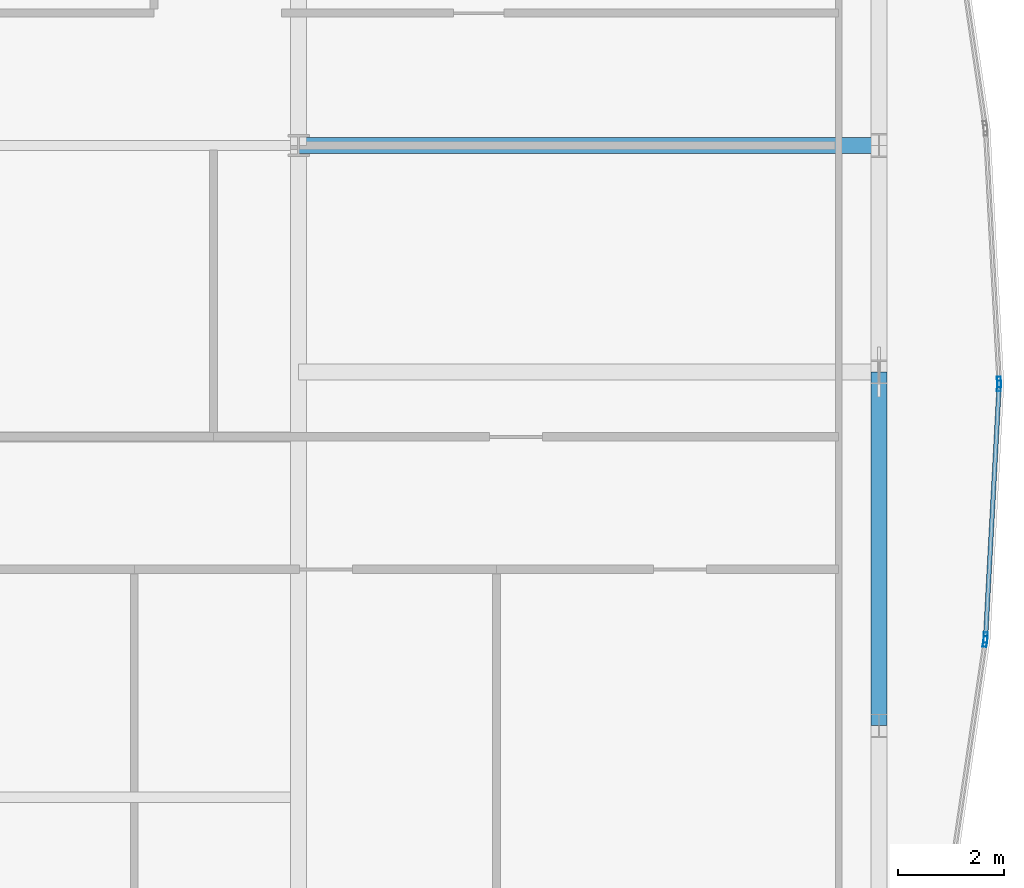
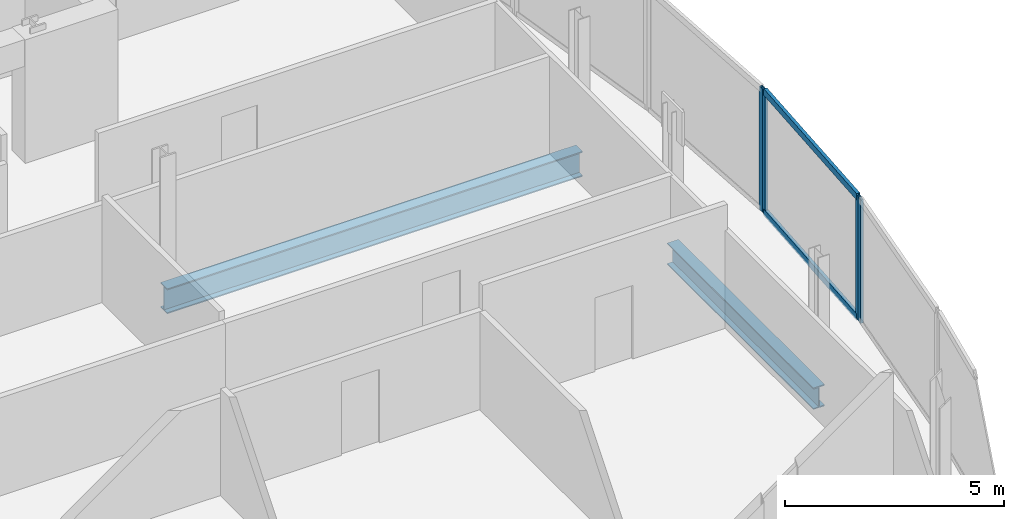
# One storey, part 18 of 30: 6 members, 2 beams, 3 elements without a shape of their own.
"""IFC4 building model written with IfcOpenShell, lengths in metres."""

from ifc_helpers import new_model, si_unit, direction, frame, origin, origin_2d, place, context, subcontext, project, spatial, hollow_rectangle, i_section, extrude, material, material_profile, profile_set, type_object, element, aggregate, save


model = new_model("IFC4")

# Units and contexts
model_context = context("Model", 3, precision=1e-05, world=origin(), true_north=direction((0.0, 1.0)))
body_context = subcontext(model_context, "Body", "Model", "MODEL_VIEW")
ifc_project = project(units=[si_unit("LENGTHUNIT", "METRE"), si_unit("AREAUNIT", "SQUARE_METRE"), si_unit("VOLUMEUNIT", "CUBIC_METRE"), si_unit("PLANEANGLEUNIT", "RADIAN"), si_unit("MASSUNIT", "GRAM", prefix="KILO")], contexts=[model_context])

# Site, building, storey
site_placement = place(None, origin())
site = spatial("IfcSite", under=ifc_project, at=site_placement, CompositionType="ELEMENT")
building_placement = place(site_placement, origin())
building = spatial("IfcBuilding", under=site, at=building_placement, Name="Khoronbel Lancet Exchange", CompositionType="ELEMENT")
storey_placement = place(building_placement, frame((0.0, 0.0, 206.60009765625)))
storey = spatial("IfcBuildingStorey", under=building, at=storey_placement, Name="L52", CompositionType="ELEMENT", Elevation=206.60009765625)

# Beams
ifc_material_1 = material(Name="Steel S355", Category="steel")
ifc_material_profile_1 = material_profile(ifc_material_1, i_section(OverallWidth=0.300048828125, OverallDepth=0.699951171875, WebThickness=0.01708984375, FlangeThickness=0.031982421875, at=origin_2d()), Name="HEB 700")
ifc_profile_set_1 = profile_set([ifc_material_profile_1], Name="Steel S355")
beam_type_1 = type_object("IfcBeamType", Name="BM-BG3", PredefinedType="BEAM", material=ifc_profile_set_1)
beam_1_placement = place(storey_placement, frame((54.675048828125, 35.699951171875, -0.510009765625), z_axis=(1.0, 0.0, 0.0), x_axis=(0.0, 1.0, 0.0)))
element("IfcBeam", 1, at=beam_1_placement, inside=storey, type_object=beam_type_1, Name="Level L52 east lens tie girder LG4E", PredefinedType="BEAM", context=body_context, shape_type="SweptSolid", body=[
    extrude(i_section(OverallWidth=0.300048828125, OverallDepth=0.699951171875, WebThickness=0.01708984375, FlangeThickness=0.031982421875, at=origin_2d()), origin(), (0.0, 0.0, 1.0), 10.954833984375),
])
ifc_material_profile_2 = material_profile(ifc_material_1, i_section(OverallWidth=0.300048828125, OverallDepth=0.60009765625, WebThickness=0.015380859375, FlangeThickness=0.030029296875, at=origin_2d()), Name="HEB 600")
ifc_profile_set_2 = profile_set([ifc_material_profile_2], Name="Steel S355")
beam_type_2 = type_object("IfcBeamType", Name="BM-BSP2", PredefinedType="SPANDREL", material=ifc_profile_set_2)
beam_2_placement = place(storey_placement, frame((65.6298828125, 24.75, -0.460205078125), z_axis=(0.0, 1.0, 0.0), x_axis=(-1.0, 0.0, 0.0)))
element("IfcBeam", 2, at=beam_2_placement, inside=storey, type_object=beam_type_2, Name="Level L52 perimeter spandrel beam SP12", PredefinedType="SPANDREL", context=body_context, shape_type="SweptSolid", body=[
    extrude(i_section(OverallWidth=0.300048828125, OverallDepth=0.60009765625, WebThickness=0.015380859375, FlangeThickness=0.030029296875, at=origin_2d()), origin(), (0.0, 0.0, 1.0), 6.675048828125),
])

# Curtain wall, member
ifc_material_2 = material(Name="Low-E Solar Control Insulating Glass", Category="glass")
curtain_wall_type = type_object("IfcCurtainWallType", Name="CW-4", PredefinedType="NOTDEFINED", material=ifc_material_2)
curtain_wall_1_placement = place(storey_placement, origin())
curtain_wall_1 = element("IfcCurtainWall", 3, at=curtain_wall_1_placement, inside=storey, type_object=curtain_wall_type, Name="Unitised curtain wall CW-L52-E19", PredefinedType="NOTDEFINED")
ifc_material_3 = material(Name="Bronze-Anodised Aluminium 6063-T6", Category="aluminium")
ifc_material_profile_3 = material_profile(ifc_material_3, hollow_rectangle(XDim=0.074951171875, YDim=0.199951171875, WallThickness=0.0048828125, at=origin_2d()), Name="ALU MULLION 75x200")
ifc_profile_set_3 = profile_set([ifc_material_profile_3], Name="Bronze-Anodised Aluminium 6063-T6")
member_type_1 = type_object("IfcMemberType", Name="MEM-CWM2", PredefinedType="MULLION", material=ifc_profile_set_3)
member_1_placement = place(storey_placement, frame((67.897705078125, 31.237548828125, 0.0), z_axis=(0.0, 0.0, 1.0), x_axis=(0.998557549659, 0.053691899007, 0.0)))
member_1 = element("IfcMember", 4, at=member_1_placement, type_object=member_type_1, Name="CW4 mullion 2", PredefinedType="MULLION", context=body_context, shape_type="SweptSolid", body=[
    extrude(hollow_rectangle(XDim=0.074951171875, YDim=0.199951171875, WallThickness=0.0048828125, at=origin_2d()), origin(), (0.0, 0.0, 1.0), 3.43994140625),
])
aggregate(curtain_wall_1, [member_1])

# Curtain wall, members
curtain_wall_2_placement = place(storey_placement, origin())
curtain_wall_2 = element("IfcCurtainWall", 5, at=curtain_wall_2_placement, inside=storey, type_object=curtain_wall_type, Name="Unitised curtain wall CW-L52-E20", PredefinedType="NOTDEFINED")
member_2_placement = place(storey_placement, frame((67.897705078125, 31.16259765625, 0.0), z_axis=(0.0, 0.0, 1.0), x_axis=(0.998557549659, -0.053691899007, 0.0)))
member_2 = element("IfcMember", 6, at=member_2_placement, type_object=member_type_1, Name="CW4 mullion 1", PredefinedType="MULLION", context=body_context, shape_type="SweptSolid", body=[
    extrude(hollow_rectangle(XDim=0.074951171875, YDim=0.199951171875, WallThickness=0.0048828125, at=origin_2d()), origin(), (0.0, 0.0, 1.0), 3.43994140625),
])
member_3_placement = place(storey_placement, frame((67.642333984375, 26.4130859375, 0.0), z_axis=(0.0, 0.0, 1.0), x_axis=(0.998557549659, -0.053691899007, 0.0)))
member_3 = element("IfcMember", 7, at=member_3_placement, type_object=member_type_1, Name="CW4 mullion 2", PredefinedType="MULLION", context=body_context, shape_type="SweptSolid", body=[
    extrude(hollow_rectangle(XDim=0.074951171875, YDim=0.199951171875, WallThickness=0.0048828125, at=origin_2d()), origin(), (0.0, 0.0, 1.0), 3.43994140625),
])

# Curtain wall, member
curtain_wall_3_placement = place(storey_placement, origin())
curtain_wall_3 = element("IfcCurtainWall", 8, at=curtain_wall_3_placement, inside=storey, type_object=curtain_wall_type, Name="Unitised curtain wall CW-L52-E21", PredefinedType="NOTDEFINED")
member_4_placement = place(storey_placement, frame((67.635009765625, 26.338623046875, 0.0), z_axis=(0.0, 0.0, 1.0), x_axis=(0.989378391213, -0.145362990476, 0.0)))
member_4 = element("IfcMember", 9, at=member_4_placement, type_object=member_type_1, Name="CW4 mullion 1", PredefinedType="MULLION", context=body_context, shape_type="SweptSolid", body=[
    extrude(hollow_rectangle(XDim=0.074951171875, YDim=0.199951171875, WallThickness=0.0048828125, at=origin_2d()), origin(), (0.0, 0.0, 1.0), 3.43994140625),
])
aggregate(curtain_wall_3, [member_4])

# Member
ifc_material_profile_4 = material_profile(ifc_material_3, hollow_rectangle(XDim=0.0849609375, YDim=0.179931640625, WallThickness=0.0048828125, at=origin_2d()), Name="ALU TRANSOM 85x180")
ifc_profile_set_4 = profile_set([ifc_material_profile_4], Name="Bronze-Anodised Aluminium 6063-T6")
member_type_2 = type_object("IfcMemberType", Name="MEM-CWT1", PredefinedType="USERDEFINED", material=ifc_profile_set_4)
member_5_placement = place(storey_placement, frame((67.895751953125, 31.125, 0.04248046875), z_axis=(-0.053667453819, -0.998558863763, 0.0), x_axis=(0.998558863763, -0.053667453819, 0.0)))
member_5 = element("IfcMember", 10, at=member_5_placement, type_object=member_type_2, Name="CW4 transom 1.1", ObjectType="TRANSOM", PredefinedType="USERDEFINED", context=body_context, shape_type="SweptSolid", body=[
    extrude(hollow_rectangle(XDim=0.0849609375, YDim=0.179931640625, WallThickness=0.0048828125, at=origin_2d()), origin(), (0.0, 0.0, 1.0), 4.68115234375),
])

member_6_placement = place(storey_placement, frame((67.895751953125, 31.125, 3.3974609375), z_axis=(-0.053667453819, -0.998558863763, 0.0), x_axis=(0.998558863763, -0.053667453819, 0.0)))
member_6 = element("IfcMember", 11, at=member_6_placement, type_object=member_type_2, Name="CW4 transom 1.2", ObjectType="TRANSOM", PredefinedType="USERDEFINED", context=body_context, shape_type="SweptSolid", body=[
    extrude(hollow_rectangle(XDim=0.0849609375, YDim=0.179931640625, WallThickness=0.0048828125, at=origin_2d()), origin(), (0.0, 0.0, 1.0), 4.68115234375),
])

aggregate(curtain_wall_2, [member_2, member_3, member_5, member_6])

save(model, "model.ifc")
